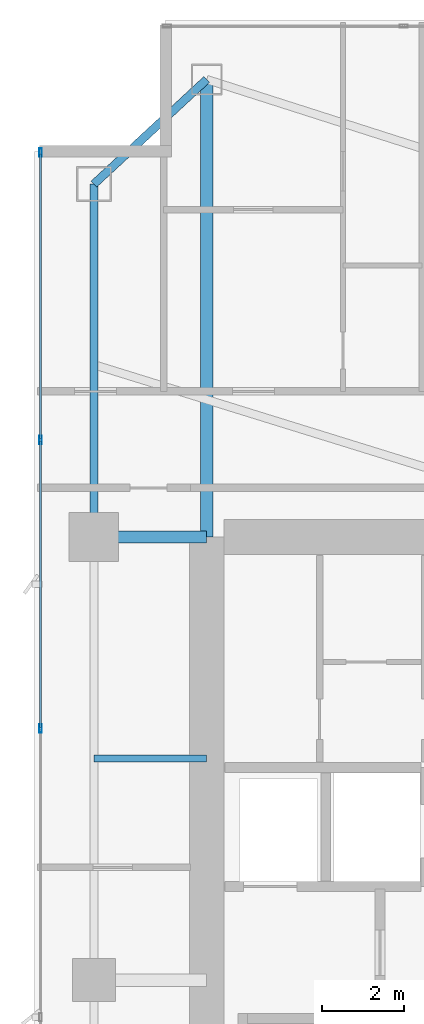
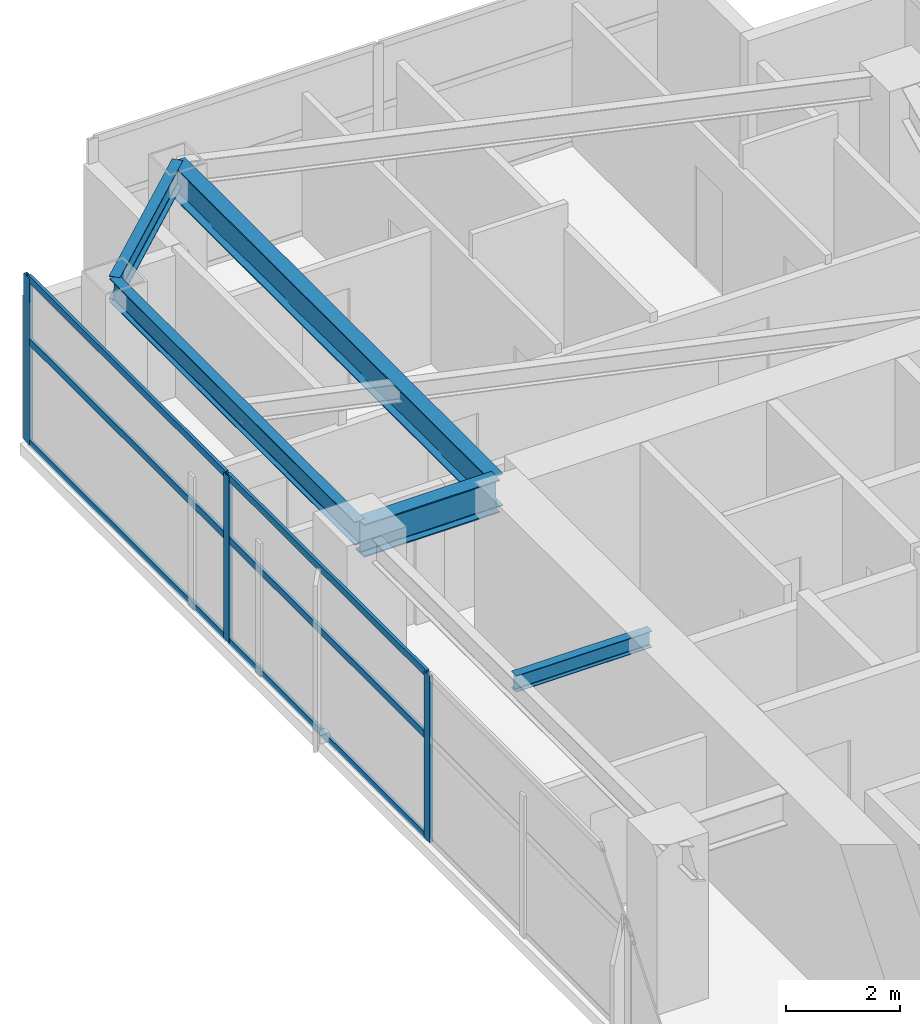
# One storey, part 16 of 29: 9 members, 5 beams, 1 element without a shape of its own.
"""IFC4 building model written with IfcOpenShell, lengths in metres."""

from ifc_helpers import new_model, si_unit, direction, frame, origin, origin_2d, place, context, subcontext, project, spatial, hollow_rectangle, i_section, extrude, material, layer, layer_set, material_profile, profile_set, type_object, element, aggregate, save


model = new_model("IFC4")

# Units and contexts
model_context = context("Model", 3, precision=1e-05, world=origin(), true_north=direction((0.0, 1.0)))
body_context = subcontext(model_context, "Body", "Model", "MODEL_VIEW")
ifc_project = project(units=[si_unit("LENGTHUNIT", "METRE"), si_unit("AREAUNIT", "SQUARE_METRE"), si_unit("VOLUMEUNIT", "CUBIC_METRE"), si_unit("PLANEANGLEUNIT", "RADIAN"), si_unit("MASSUNIT", "GRAM", prefix="KILO")], contexts=[model_context])

# Site, building, storey
site_placement = place(None, origin())
site = spatial("IfcSite", under=ifc_project, at=site_placement, CompositionType="ELEMENT")
building_placement = place(site_placement, origin())
building = spatial("IfcBuilding", under=site, at=building_placement, Name="Calvorn Quay Hotel", CompositionType="ELEMENT")
storey_placement = place(building_placement, frame((0.0, 0.0, 120.199951171875)))
storey = spatial("IfcBuildingStorey", under=building, at=storey_placement, Name="L29", CompositionType="ELEMENT", Elevation=120.199951171875)

# Beams
ifc_material_1 = material(Name="Steel Q390GJC", Category="steel")
ifc_material_profile_1 = material_profile(ifc_material_1, i_section(OverallWidth=0.300048828125, OverallDepth=0.699951171875, WebThickness=0.012939453125, FlangeThickness=0.02392578125, FilletRadius=0.02392578125, at=origin_2d()), Name="HN700x300x13x24")
ifc_profile_set_1 = profile_set([ifc_material_profile_1], Name="Steel Q390GJC")
beam_type_1 = type_object("IfcBeamType", Name="BM-GIRD-MAIN", PredefinedType="BEAM", material=ifc_profile_set_1)
beam_1_placement = place(storey_placement, frame((1.449951171875, 38.39990234375, 3.18994140625), z_axis=(1.0, 0.0, 0.0), x_axis=(0.0, 1.0, 0.0)))
element("IfcBeam", 1, at=beam_1_placement, inside=storey, type_object=beam_type_1, Name="Beam BG-L29-W3", PredefinedType="BEAM", context=body_context, shape_type="SweptSolid", body=[
    extrude(i_section(OverallWidth=0.300048828125, OverallDepth=0.699951171875, WebThickness=0.012939453125, FlangeThickness=0.02392578125, FilletRadius=0.02392578125, at=origin_2d()), origin(), (0.0, 0.0, 1.0), 2.75),
])
beam_2_placement = place(storey_placement, frame((4.199951171875, 49.550048828125, 3.18994140625), z_axis=(0.0, -1.0, 0.0), x_axis=(1.0, 0.0, 0.0)))
element("IfcBeam", 2, at=beam_2_placement, inside=storey, type_object=beam_type_1, Name="Beam BG-L29-W5", PredefinedType="BEAM", context=body_context, shape_type="SweptSolid", body=[
    extrude(i_section(OverallWidth=0.300048828125, OverallDepth=0.699951171875, WebThickness=0.012939453125, FlangeThickness=0.02392578125, FilletRadius=0.02392578125, at=origin_2d()), origin(), (0.0, 0.0, 1.0), 11.150146484375),
])
ifc_material_2 = material(Name="Steel Q355B", Category="steel")
ifc_material_profile_2 = material_profile(ifc_material_2, i_section(OverallWidth=0.175048828125, OverallDepth=0.35009765625, WebThickness=0.007080078125, FlangeThickness=0.010986328125, FilletRadius=0.013916015625, at=origin_2d()), Name="HN350x175x7x11")
ifc_profile_set_2 = profile_set([ifc_material_profile_2], Name="Steel Q355B")
beam_type_2 = type_object("IfcBeamType", Name="BM-JOIST-SEC", PredefinedType="JOIST", material=ifc_profile_set_2)
beam_3_placement = place(storey_placement, frame((1.449951171875, 33.0, 3.364990234375), z_axis=(1.0, 0.0, 0.0), x_axis=(0.0, 1.0, 0.0)))
element("IfcBeam", 3, at=beam_3_placement, inside=storey, type_object=beam_type_2, Name="Beam BJ-L29-W4", PredefinedType="JOIST", context=body_context, shape_type="SweptSolid", body=[
    extrude(i_section(OverallWidth=0.175048828125, OverallDepth=0.35009765625, WebThickness=0.007080078125, FlangeThickness=0.010986328125, FilletRadius=0.013916015625, at=origin_2d()), origin(), (0.0, 0.0, 1.0), 2.75),
])
ifc_material_3 = material(Name="Steel Q355B", Category="steel")
ifc_material_profile_3 = material_profile(ifc_material_3, i_section(OverallWidth=0.199951171875, OverallDepth=0.5, WebThickness=0.010009765625, FlangeThickness=0.01611328125, FilletRadius=0.01611328125, at=origin_2d()), Name="HN500x200x10x16")
ifc_profile_set_3 = profile_set([ifc_material_profile_3], Name="Steel Q355B")
beam_type_3 = type_object("IfcBeamType", Name="BM-SPANDREL-Z1", PredefinedType="SPANDREL", material=ifc_profile_set_3)
beam_4_placement = place(storey_placement, frame((1.449951171875, 38.39990234375, 3.2900390625), z_axis=(0.0, 1.0, 0.0), x_axis=(-1.0, 0.0, 0.0)))
element("IfcBeam", 4, at=beam_4_placement, inside=storey, type_object=beam_type_3, Name="Beam BSP-L29-W4", PredefinedType="SPANDREL", context=body_context, shape_type="SweptSolid", body=[
    extrude(i_section(OverallWidth=0.199951171875, OverallDepth=0.5, WebThickness=0.010009765625, FlangeThickness=0.01611328125, FilletRadius=0.01611328125, at=origin_2d()), origin(), (0.0, 0.0, 1.0), 8.60009765625),
])
beam_5_placement = place(storey_placement, frame((1.449951171875, 47.0, 3.2900390625), z_axis=(0.733261665538, 0.679946563969, 0.0), x_axis=(-0.679946563969, 0.733261665538, 0.0)))
element("IfcBeam", 5, at=beam_5_placement, inside=storey, type_object=beam_type_3, Name="Beam BSP-L29-W5", PredefinedType="SPANDREL", context=body_context, shape_type="SweptSolid", body=[
    extrude(i_section(OverallWidth=0.199951171875, OverallDepth=0.5, WebThickness=0.010009765625, FlangeThickness=0.01611328125, FilletRadius=0.01611328125, at=origin_2d()), origin(), (0.0, 0.0, 1.0), 3.75048828125),
])

# Curtain wall, members
ifc_material_4 = material(Name="Pale Anodised Aluminium and Low-E Glass", Category="aluminium")
ifc_layer = layer(ifc_material_4, 0.219970703125)
ifc_layer_set = layer_set([ifc_layer], Name="CW-SYS-Z2")
curtain_wall_type = type_object("IfcCurtainWallType", Name="CW-SYS-Z2", PredefinedType="NOTDEFINED", material=ifc_layer_set)
curtain_wall_placement = place(storey_placement, origin())
curtain_wall = element("IfcCurtainWall", 6, at=curtain_wall_placement, inside=storey, type_object=curtain_wall_type, Name="Tower West Curtain Wall (L29)", PredefinedType="NOTDEFINED")
ifc_material_5 = material(Name="Pale Anodised Aluminium 6063-T6", Category="aluminium")
ifc_material_profile_4 = material_profile(ifc_material_5, hollow_rectangle(XDim=0.070068359375, YDim=0.199951171875, WallThickness=0.00390625, at=origin_2d()), Name="ALU-M200x70x4")
ifc_profile_set_4 = profile_set([ifc_material_profile_4], Name="Pale Anodised Aluminium 6063-T6")
member_type_1 = type_object("IfcMemberType", Name="CW-SYS-Z2-MUL", PredefinedType="MULLION", material=ifc_profile_set_4)
member_1_placement = place(storey_placement, frame((0.14990234375, 33.7333984375, 0.0), z_axis=(0.0, 0.0, 1.0), x_axis=(-1.0, 0.0, 0.0)))
member_1 = element("IfcMember", 7, at=member_1_placement, type_object=member_type_1, Name="CW-L29-W mullion 5", PredefinedType="MULLION", context=body_context, shape_type="SweptSolid", body=[
    extrude(hollow_rectangle(XDim=0.070068359375, YDim=0.199951171875, WallThickness=0.00390625, at=origin_2d()), origin(), (0.0, 0.0, 1.0), 3.56005859375),
])
member_2_placement = place(storey_placement, frame((0.14990234375, 40.7666015625, 0.0), z_axis=(0.0, 0.0, 1.0), x_axis=(-1.0, 0.0, 0.0)))
member_2 = element("IfcMember", 8, at=member_2_placement, type_object=member_type_1, Name="CW-L29-W mullion 6", PredefinedType="MULLION", context=body_context, shape_type="SweptSolid", body=[
    extrude(hollow_rectangle(XDim=0.070068359375, YDim=0.199951171875, WallThickness=0.00390625, at=origin_2d()), origin(), (0.0, 0.0, 1.0), 3.56005859375),
])
member_3_placement = place(storey_placement, frame((0.14990234375, 47.77001953125, 0.0), z_axis=(0.0, 0.0, 1.0), x_axis=(-1.0, 0.0, 0.0)))
member_3 = element("IfcMember", 9, at=member_3_placement, type_object=member_type_1, Name="CW-L29-W mullion 7", PredefinedType="MULLION", context=body_context, shape_type="SweptSolid", body=[
    extrude(hollow_rectangle(XDim=0.070068359375, YDim=0.199951171875, WallThickness=0.00390625, at=origin_2d()), origin(), (0.0, 0.0, 1.0), 3.56005859375),
])
ifc_material_6 = material(Name="Pale Anodised Aluminium 6063-T6", Category="aluminium")
ifc_material_profile_5 = material_profile(ifc_material_6, hollow_rectangle(XDim=0.06005859375, YDim=0.14990234375, WallThickness=0.00341796875, at=origin_2d()), Name="ALU-T150x60x3.5")
ifc_profile_set_5 = profile_set([ifc_material_profile_5], Name="Pale Anodised Aluminium 6063-T6")
member_type_2 = type_object("IfcMemberType", Name="CW-SYS-Z2-TRN", PredefinedType="USERDEFINED", material=ifc_profile_set_5)
member_4_placement = place(storey_placement, frame((0.14990234375, 33.763427734375, 0.030029296875), z_axis=(0.0, 1.0, 0.0), x_axis=(-1.0, 0.0, 0.0)))
member_4 = element("IfcMember", 10, at=member_4_placement, type_object=member_type_2, Name="CW-L29-W transom 5.1", ObjectType="TRANSOM", PredefinedType="USERDEFINED", context=body_context, shape_type="SweptSolid", body=[
    extrude(hollow_rectangle(XDim=0.06005859375, YDim=0.14990234375, WallThickness=0.00341796875, at=origin_2d()), origin(), (0.0, 0.0, 1.0), 6.97314453125),
])
member_5_placement = place(storey_placement, frame((0.14990234375, 33.763427734375, 2.199951171875), z_axis=(0.0, 1.0, 0.0), x_axis=(-1.0, 0.0, 0.0)))
member_5 = element("IfcMember", 11, at=member_5_placement, type_object=member_type_2, Name="CW-L29-W transom 5.2", ObjectType="TRANSOM", PredefinedType="USERDEFINED", context=body_context, shape_type="SweptSolid", body=[
    extrude(hollow_rectangle(XDim=0.06005859375, YDim=0.14990234375, WallThickness=0.00341796875, at=origin_2d()), origin(), (0.0, 0.0, 1.0), 6.97314453125),
])
member_6_placement = place(storey_placement, frame((0.14990234375, 33.763427734375, 3.530029296875), z_axis=(0.0, 1.0, 0.0), x_axis=(-1.0, 0.0, 0.0)))
member_6 = element("IfcMember", 12, at=member_6_placement, type_object=member_type_2, Name="CW-L29-W transom 5.3", ObjectType="TRANSOM", PredefinedType="USERDEFINED", context=body_context, shape_type="SweptSolid", body=[
    extrude(hollow_rectangle(XDim=0.06005859375, YDim=0.14990234375, WallThickness=0.00341796875, at=origin_2d()), origin(), (0.0, 0.0, 1.0), 6.97314453125),
])
member_7_placement = place(storey_placement, frame((0.14990234375, 40.796630859375, 0.030029296875), z_axis=(0.0, 1.0, 0.0), x_axis=(-1.0, 0.0, 0.0)))
member_7 = element("IfcMember", 13, at=member_7_placement, type_object=member_type_2, Name="CW-L29-W transom 6.1", ObjectType="TRANSOM", PredefinedType="USERDEFINED", context=body_context, shape_type="SweptSolid", body=[
    extrude(hollow_rectangle(XDim=0.06005859375, YDim=0.14990234375, WallThickness=0.00341796875, at=origin_2d()), origin(), (0.0, 0.0, 1.0), 6.943359375),
])
member_8_placement = place(storey_placement, frame((0.14990234375, 40.796630859375, 2.199951171875), z_axis=(0.0, 1.0, 0.0), x_axis=(-1.0, 0.0, 0.0)))
member_8 = element("IfcMember", 14, at=member_8_placement, type_object=member_type_2, Name="CW-L29-W transom 6.2", ObjectType="TRANSOM", PredefinedType="USERDEFINED", context=body_context, shape_type="SweptSolid", body=[
    extrude(hollow_rectangle(XDim=0.06005859375, YDim=0.14990234375, WallThickness=0.00341796875, at=origin_2d()), origin(), (0.0, 0.0, 1.0), 6.943359375),
])
member_9_placement = place(storey_placement, frame((0.14990234375, 40.796630859375, 3.530029296875), z_axis=(0.0, 1.0, 0.0), x_axis=(-1.0, 0.0, 0.0)))
member_9 = element("IfcMember", 15, at=member_9_placement, type_object=member_type_2, Name="CW-L29-W transom 6.3", ObjectType="TRANSOM", PredefinedType="USERDEFINED", context=body_context, shape_type="SweptSolid", body=[
    extrude(hollow_rectangle(XDim=0.06005859375, YDim=0.14990234375, WallThickness=0.00341796875, at=origin_2d()), origin(), (0.0, 0.0, 1.0), 6.943359375),
])
aggregate(curtain_wall, [member_1, member_2, member_3, member_4, member_5, member_6, member_7, member_8, member_9])

save(model, "model.ifc")
